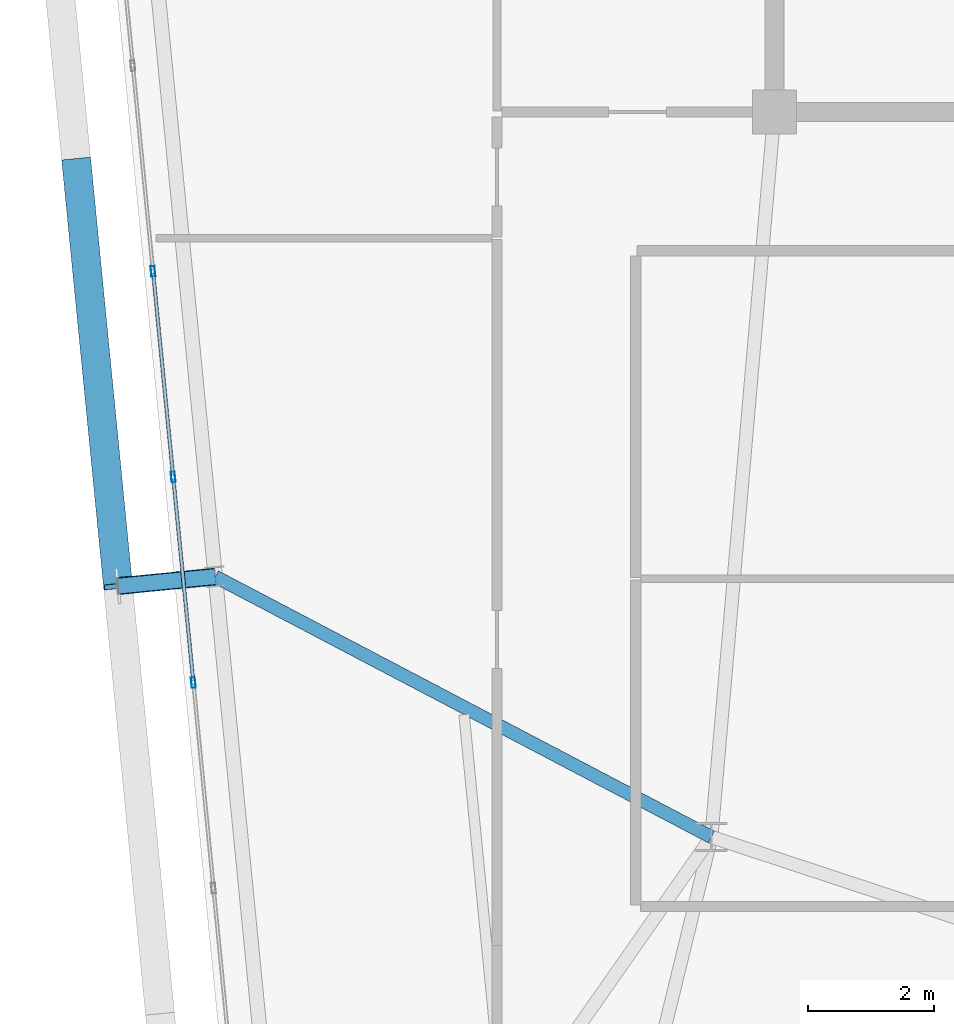
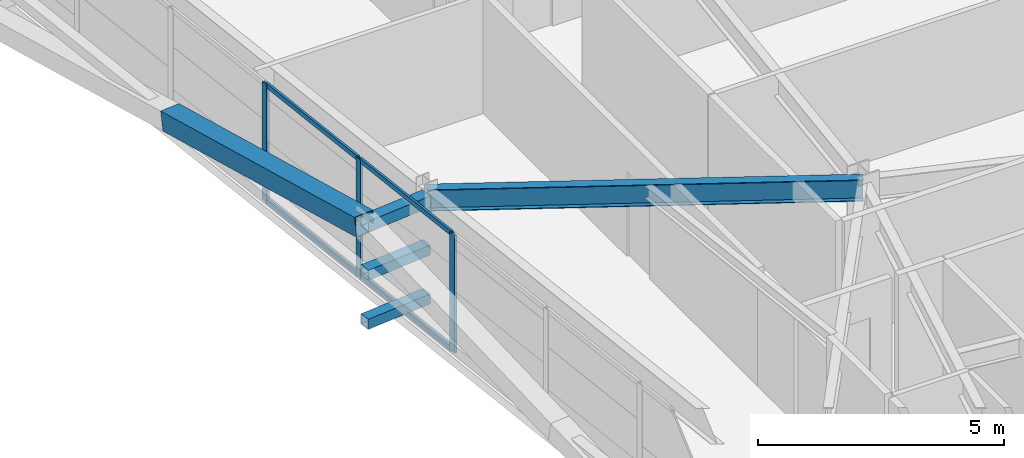
# One storey, part 13 of 52: 11 members, 1 beam, 1 element without a shape of its own.
"""IFC4 building model written with IfcOpenShell, lengths in metres."""

from ifc_helpers import new_model, si_unit, direction, frame, origin, origin_2d, place, context, subcontext, project, spatial, hollow_rectangle, i_section, extrude, source, transform, mapped, material, layer, layer_set, material_profile, profile_set, type_object, element, aggregate, save


model = new_model("IFC4")

# Units and contexts
model_context = context("Model", 3, precision=1e-05, world=origin(), true_north=direction((0.0, 1.0)))
body_context = subcontext(model_context, "Body", "Model", "MODEL_VIEW")
ifc_project = project(units=[si_unit("LENGTHUNIT", "METRE"), si_unit("AREAUNIT", "SQUARE_METRE"), si_unit("VOLUMEUNIT", "CUBIC_METRE"), si_unit("PLANEANGLEUNIT", "RADIAN"), si_unit("MASSUNIT", "GRAM", prefix="KILO")], contexts=[model_context])

# Site, building, storey
site_placement = place(None, origin())
site = spatial("IfcSite", under=ifc_project, at=site_placement, CompositionType="ELEMENT")
building_placement = place(site_placement, origin())
building = spatial("IfcBuilding", under=site, at=building_placement, Name="Taldren Reach Tower", CompositionType="ELEMENT")
storey_placement = place(building_placement, frame((0.0, 0.0, 74.550048828125)))
storey = spatial("IfcBuildingStorey", under=building, at=storey_placement, Name="L22", CompositionType="ELEMENT", Elevation=74.550048828125)

# Beam
ifc_material_1 = material(Name="Steel Gr 350 (350PLUS)", Category="steel")
ifc_material_profile_1 = material_profile(ifc_material_1, i_section(OverallWidth=0.208984375, OverallDepth=0.532958984375, WebThickness=0.01025390625, FlangeThickness=0.015625, at=origin_2d()), Name="530UB92.4")
ifc_profile_set_1 = profile_set([ifc_material_profile_1], Name="Steel Gr 350 (350PLUS)")
beam_type = type_object("IfcBeamType", Name="BM-UB530A", PredefinedType="BEAM", material=ifc_profile_set_1)
shared_shape_1 = source(origin(), body_context, "Body", "SweptSolid", [
    extrude(i_section(OverallWidth=0.208984375, OverallDepth=0.532958984375, WebThickness=0.01025390625, FlangeThickness=0.015625, at=origin_2d()), origin(), (0.0, 0.0, 1.0), 8.8876953125),
])
beam_placement = place(storey_placement, frame((18.0, 12.5, 2.663330078125), z_axis=(-0.885412881876, 0.464805366371, 0.0), x_axis=(-0.464805366371, -0.885412881876, 0.0)))
element("IfcBeam", 1, at=beam_placement, inside=storey, type_object=beam_type, Name="Primary floor girder B2-W2 L22", PredefinedType="BEAM", context=body_context, shape_type="MappedRepresentation", body=[
    mapped(shared_shape_1, transform((0.0, 0.0, 0.0), scale=1.0)),
])

# Members
ifc_material_2 = material(Name="Steel Gr 450 (C450L0)", Category="steel")
ifc_material_profile_2 = material_profile(ifc_material_2, hollow_rectangle(XDim=0.27490234375, YDim=0.27490234375, WallThickness=0.00927734375, at=origin_2d()), Name="275x275x9.3SHS")
ifc_profile_set_2 = profile_set([ifc_material_profile_2], Name="Steel Gr 450 (C450L0)")
member_type_1 = type_object("IfcMemberType", Name="MB-TIE273", PredefinedType="STRUT", material=ifc_profile_set_2)
shared_shape_2 = source(origin(), body_context, "Body", "SweptSolid", [
    extrude(hollow_rectangle(XDim=0.27490234375, YDim=0.27490234375, WallThickness=0.00927734375, at=origin_2d()), origin(), (0.0, 0.0, 1.0), 1.550048828125),
])
member_1_placement = place(storey_placement, frame((10.130615234375, 16.631103515625, 2.64990234375), z_axis=(-0.9952210252, -0.097647892962, 0.0), x_axis=(0.097647892962, -0.9952210252, 0.0)))
element("IfcMember", 2, at=member_1_placement, inside=storey, type_object=member_type_1, Name="Exoskeleton diaphragm tie strut B2-W2 L22", PredefinedType="STRUT", context=body_context, shape_type="MappedRepresentation", body=[
    mapped(shared_shape_2, transform((0.0, 0.0, 0.0), scale=1.0)),
])
ifc_material_3 = material(Name="Steel Gr 350 (C350L0)", Category="steel")
ifc_material_profile_3 = material_profile(ifc_material_3, hollow_rectangle(XDim=0.25, YDim=0.25, WallThickness=0.010009765625, at=origin_2d()), Name="250x250x10.0SHS")
ifc_profile_set_3 = profile_set([ifc_material_profile_3], Name="Steel Gr 350 (C350L0)")
member_type_2 = type_object("IfcMemberType", Name="MB-POST250", PredefinedType="POST", material=ifc_profile_set_3)
shared_shape_3 = source(origin(), body_context, "Body", "SweptSolid", [
    extrude(hollow_rectangle(XDim=0.25, YDim=0.25, WallThickness=0.010009765625, at=origin_2d()), origin(), (0.0, 0.0, 1.0), 1.550048828125),
])
for number, where, z_axis, x_axis, name in (
    (3, (10.130615234375, 16.631103515625, 0.219970703125), (-0.9952210252, -0.097647892962, 0.0), (0.097647892962, -0.9952210252, 0.0), "Exoskeleton base diaphragm tie strut B2-W2 L22"),
    (4, (10.130615234375, 16.631103515625, 1.43505859375), (-0.9952210252, -0.097647892962, 0.0), (0.097647892962, -0.9952210252, 0.0), "Exoskeleton mid-tier diaphragm tie B2-W2 L22"),
):
    element("IfcMember", number, at=place(storey_placement, frame(where, z_axis=z_axis, x_axis=x_axis)), inside=storey, type_object=member_type_2, Name=name, PredefinedType="POST", context=body_context, shape_type="MappedRepresentation", body=[
        mapped(shared_shape_3, transform((0.0, 0.0, 0.0), scale=1.0)),
    ])
ifc_material_profile_4 = material_profile(ifc_material_2, hollow_rectangle(XDim=0.4599609375, YDim=0.4599609375, WallThickness=0.01611328125, at=origin_2d()), Name="460x460x16.0SHS")
ifc_profile_set_4 = profile_set([ifc_material_profile_4], Name="Steel Gr 450 (C450L0)")
member_type_3 = type_object("IfcMemberType", Name="MB-EXO457", PredefinedType="BRACE", material=ifc_profile_set_4)
shared_shape_4 = source(origin(), body_context, "Body", "SweptSolid", [
    extrude(hollow_rectangle(XDim=0.4599609375, YDim=0.4599609375, WallThickness=0.01611328125, at=origin_2d()), origin(), (0.0, 0.0, 1.0), 6.883056640625),
])
member_2_placement = place(storey_placement, frame((7.9267578125, 23.222412109375, 1.43505859375), z_axis=(0.096052059581, -0.979603316657, 0.176497432967), x_axis=(0.995227290009, 0.097584021339, 0.0)))
element("IfcMember", 5, at=member_2_placement, inside=storey, type_object=member_type_3, Name="Exoskeleton Diagrid Brace B2-W2 L22", PredefinedType="BRACE", context=body_context, shape_type="MappedRepresentation", body=[
    mapped(shared_shape_4, transform((0.0, 0.0, 0.0), scale=1.0)),
])

# Curtain wall, members
ifc_material_4 = material(Name="Aluminium and Low-E Glass Unitised System", Category="aluminium")
ifc_layer = layer(ifc_material_4, 0.159912109375)
ifc_layer_set = layer_set([ifc_layer], Name="Aluminium and Low-E Glass Unitised System")
curtain_wall_type = type_object("IfcCurtainWallType", Name="CW-SYS-3", PredefinedType="NOTDEFINED", material=ifc_layer_set)
curtain_wall_placement = place(storey_placement, origin())
curtain_wall = element("IfcCurtainWall", 6, at=curtain_wall_placement, inside=storey, type_object=curtain_wall_type, Name="Unitised curtain wall CW-L22-W", PredefinedType="NOTDEFINED")
ifc_material_5 = material(Name="Anodised Aluminium 6063-T6", Category="aluminium")
ifc_material_profile_5 = material_profile(ifc_material_5, hollow_rectangle(XDim=0.06494140625, YDim=0.1650390625, WallThickness=0.00390625, at=origin_2d()), Name="ALU-165x65x4RHS")
ifc_profile_set_5 = profile_set([ifc_material_profile_5], Name="Anodised Aluminium 6063-T6")
member_type_4 = type_object("IfcMemberType", Name="CW-MUL-165", PredefinedType="MULLION", material=ifc_profile_set_5)
shared_shape_5 = source(origin(), body_context, "Body", "SweptSolid", [
    extrude(hollow_rectangle(XDim=0.06494140625, YDim=0.1650390625, WallThickness=0.00390625, at=origin_2d()), origin(), (0.0, 0.0, 1.0), 2.929931640625),
])
member_3_placement = place(storey_placement, frame((9.14306640625, 21.474609375, 0.0), z_axis=(0.0, 0.0, 1.0), x_axis=(0.99522741555, 0.09758274098, 0.0)))
member_3 = element("IfcMember", 7, at=member_3_placement, type_object=member_type_4, Name="CW-3 mullion 4", PredefinedType="MULLION", context=body_context, shape_type="MappedRepresentation", body=[
    mapped(shared_shape_5, transform((0.0, 0.0, 0.0), scale=1.0)),
])
member_4_placement = place(storey_placement, frame((9.463134765625, 18.21240234375, 0.0), z_axis=(0.0, 0.0, 1.0), x_axis=(0.99522741555, 0.09758274098, 0.0)))
member_4 = element("IfcMember", 8, at=member_4_placement, type_object=member_type_4, Name="CW-3 mullion 5", PredefinedType="MULLION", context=body_context, shape_type="MappedRepresentation", body=[
    mapped(shared_shape_5, transform((0.0, 0.0, 0.0), scale=1.0)),
])
member_5_placement = place(storey_placement, frame((9.782958984375, 14.9501953125, 0.0), z_axis=(0.0, 0.0, 1.0), x_axis=(0.99522741555, 0.09758274098, 0.0)))
member_5 = element("IfcMember", 9, at=member_5_placement, type_object=member_type_4, Name="CW-3 mullion 6", PredefinedType="MULLION", context=body_context, shape_type="MappedRepresentation", body=[
    mapped(shared_shape_5, transform((0.0, 0.0, 0.0), scale=1.0)),
])
ifc_material_profile_6 = material_profile(ifc_material_5, hollow_rectangle(XDim=0.054931640625, YDim=0.1201171875, WallThickness=0.0029296875, at=origin_2d()), Name="ALU-120x55x3RHS")
ifc_profile_set_6 = profile_set([ifc_material_profile_6], Name="Anodised Aluminium 6063-T6")
member_type_5 = type_object("IfcMemberType", Name="CW-TRN-135", PredefinedType="USERDEFINED", material=ifc_profile_set_6)
shared_shape_6 = source(origin(), body_context, "Body", "SweptSolid", [
    extrude(hollow_rectangle(XDim=0.054931640625, YDim=0.1201171875, WallThickness=0.0029296875, at=origin_2d()), origin(), (0.0, 0.0, 1.0), 3.212890625),
])
member_6_placement = place(storey_placement, frame((9.46630859375, 18.18017578125, 0.02734375), z_axis=(0.097569948235, -0.995228669805, 0.0), x_axis=(0.995228669805, 0.097569948235, 0.0)))
member_6 = element("IfcMember", 10, at=member_6_placement, type_object=member_type_5, Name="CW-3 transom 5.1", ObjectType="TRANSOM", PredefinedType="USERDEFINED", context=body_context, shape_type="MappedRepresentation", body=[
    mapped(shared_shape_6, transform((0.0, 0.0, 0.0), scale=1.0)),
])
member_7_placement = place(storey_placement, frame((9.46630859375, 18.18017578125, 2.90234375), z_axis=(0.097569948235, -0.995228669805, 0.0), x_axis=(0.995228669805, 0.097569948235, 0.0)))
member_7 = element("IfcMember", 11, at=member_7_placement, type_object=member_type_5, Name="CW-3 transom 5.2", ObjectType="TRANSOM", PredefinedType="USERDEFINED", context=body_context, shape_type="MappedRepresentation", body=[
    mapped(shared_shape_6, transform((0.0, 0.0, 0.0), scale=1.0)),
])
shared_shape_7 = source(origin(), body_context, "Body", "SweptSolid", [
    extrude(hollow_rectangle(XDim=0.054931640625, YDim=0.1201171875, WallThickness=0.0029296875, at=origin_2d()), origin(), (0.0, 0.0, 1.0), 3.212646484375),
])
member_8_placement = place(storey_placement, frame((9.146240234375, 21.442138671875, 0.02734375), z_axis=(0.097652598057, -0.99522056354, 0.0), x_axis=(0.99522056354, 0.097652598057, 0.0)))
member_8 = element("IfcMember", 12, at=member_8_placement, type_object=member_type_5, Name="CW-3 transom 4.1", ObjectType="TRANSOM", PredefinedType="USERDEFINED", context=body_context, shape_type="MappedRepresentation", body=[
    mapped(shared_shape_7, transform((0.0, 0.0, 0.0), scale=1.0)),
])
member_9_placement = place(storey_placement, frame((9.146240234375, 21.442138671875, 2.90234375), z_axis=(0.097652598057, -0.99522056354, 0.0), x_axis=(0.99522056354, 0.097652598057, 0.0)))
member_9 = element("IfcMember", 13, at=member_9_placement, type_object=member_type_5, Name="CW-3 transom 4.2", ObjectType="TRANSOM", PredefinedType="USERDEFINED", context=body_context, shape_type="MappedRepresentation", body=[
    mapped(shared_shape_7, transform((0.0, 0.0, 0.0), scale=1.0)),
])
aggregate(curtain_wall, [member_3, member_4, member_5, member_8, member_9, member_6, member_7])

save(model, "model.ifc")
